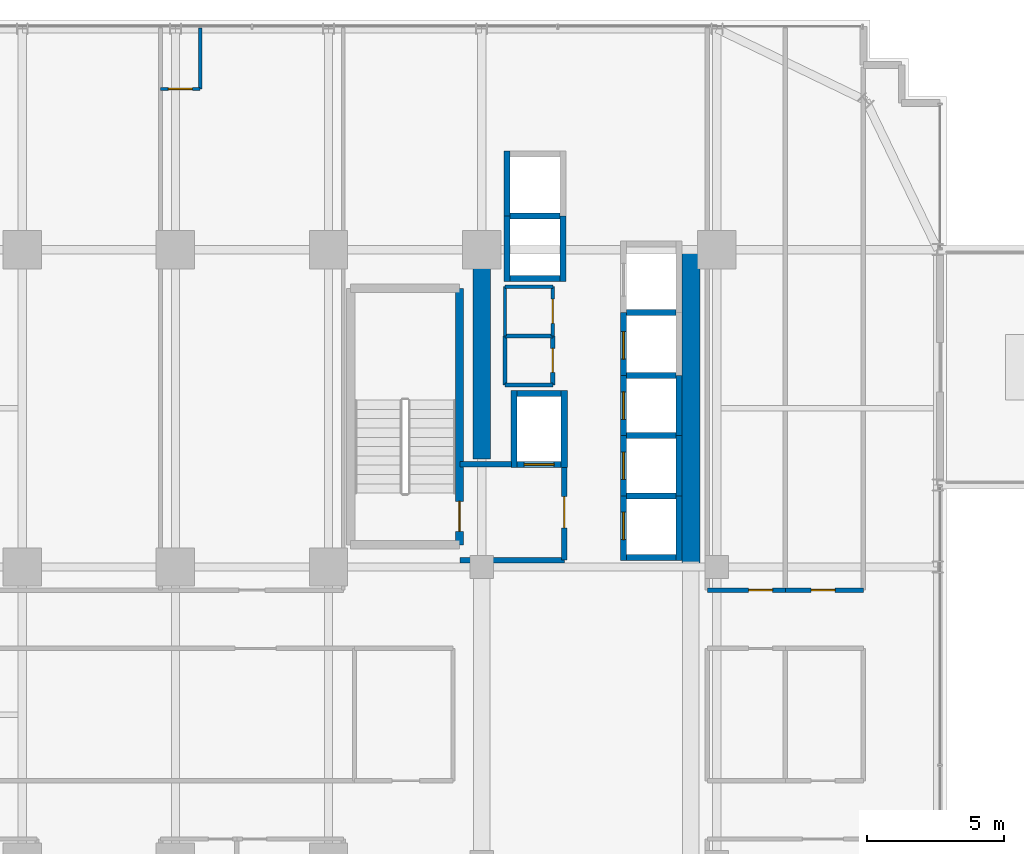
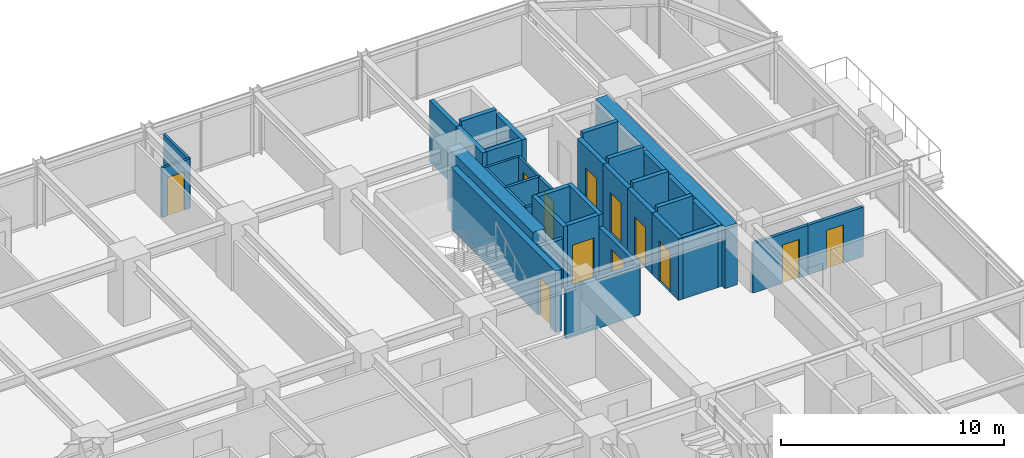
# One storey, part 32 of 36: 38 walls, 12 doors, 12 openings.
"""IFC4 building model written with IfcOpenShell, lengths in metres."""

from ifc_helpers import new_model, si_unit, direction, frame, frame_2d, origin, place, context, subcontext, project, spatial, rectangle, extrude, source, transform, mapped, material, layer, layer_set, type_object, element, fill, save


model = new_model("IFC4")

# Units and contexts
model_context = context("Model", 3, precision=1e-05, world=origin(), true_north=direction((0.0, 1.0)))
body_context = subcontext(model_context, "Body", "Model", "MODEL_VIEW")
ifc_project = project(units=[si_unit("LENGTHUNIT", "METRE"), si_unit("AREAUNIT", "SQUARE_METRE"), si_unit("VOLUMEUNIT", "CUBIC_METRE"), si_unit("PLANEANGLEUNIT", "RADIAN"), si_unit("MASSUNIT", "GRAM", prefix="KILO")], contexts=[model_context])

# Site, building, storey
site_placement = place(None, origin())
site = spatial("IfcSite", under=ifc_project, at=site_placement, CompositionType="ELEMENT")
building_placement = place(site_placement, origin())
building = spatial("IfcBuilding", under=site, at=building_placement, Name="Nahalor Promenade Grand Hotel", CompositionType="ELEMENT")
storey_placement = place(building_placement, frame((0.0, 0.0, 72.550048828125)))
storey = spatial("IfcBuildingStorey", under=building, at=storey_placement, Name="L17", CompositionType="ELEMENT", Elevation=72.550048828125)

# Walls
ifc_material_1 = material(Name="Concrete B-60 (C50/60)", Category="concrete")
ifc_layer_1 = layer(ifc_material_1, 0.64990234375)
ifc_layer_set_1 = layer_set([ifc_layer_1], Name="Concrete B-60 (C50/60)")
wall_type_1 = type_object("IfcWallType", Name="Wall-CoreShear-650", PredefinedType="SHEAR", material=ifc_layer_set_1)
shared_shape_1 = source(origin(), body_context, "Body", "SweptSolid", [
    extrude(rectangle(XDim=7.64990234375, YDim=0.64990234375, at=frame_2d((3.824951171875, 0.0))), origin(), (0.0, 0.0, 1.0), 3.369873046875),
])
wall_1_placement = place(storey_placement, frame((8.39990234375, 9.35009765625, 0.0), z_axis=(0.0, 0.0, 1.0), x_axis=(0.0, 1.0, 0.0)))
element("IfcWall", 1, at=wall_1_placement, inside=storey, type_object=wall_type_1, Name="CWALL-L17-NW", PredefinedType="SHEAR", context=body_context, shape_type="MappedRepresentation", body=[
    mapped(shared_shape_1, transform((0.0, 0.0, 0.0), scale=1.0)),
])
shared_shape_2 = source(origin(), body_context, "Body", "SweptSolid", [
    extrude(rectangle(XDim=11.60009765625, YDim=0.64990234375, at=frame_2d((5.800048828125, 0.0))), origin(), (0.0, 0.0, 1.0), 3.369873046875),
])
wall_2_placement = place(storey_placement, frame((16.050048828125, 5.39990234375, 0.0), z_axis=(0.0, 0.0, 1.0), x_axis=(0.0, 1.0, 0.0)))
element("IfcWall", 2, at=wall_2_placement, inside=storey, type_object=wall_type_1, Name="CWALL-L17-NE", PredefinedType="SHEAR", context=body_context, shape_type="MappedRepresentation", body=[
    mapped(shared_shape_2, transform((0.0, 0.0, 0.0), scale=1.0)),
])

# Wall, opening, door
ifc_material_2 = material(Name="Concrete B-50 (C40/50)", Category="concrete")
ifc_layer_2 = layer(ifc_material_2, 0.300048828125)
ifc_layer_set_2 = layer_set([ifc_layer_2], Name="Concrete B-50 (C40/50)")
wall_type_2 = type_object("IfcWallType", Name="Wall-ShaftShear-300", PredefinedType="SHEAR", material=ifc_layer_set_2)
shared_shape_3 = source(origin(), body_context, "Body", "SweptSolid", [
    extrude(rectangle(XDim=9.380126953125, YDim=0.300048828125, at=frame_2d((4.68994140625, 0.0))), origin(), (0.0, 0.0, 1.0), 3.369873046875),
])
wall_3_placement = place(storey_placement, frame((7.590087890625, 6.2099609375, 0.0), z_axis=(0.0, 0.0, 1.0), x_axis=(0.0, 1.0, 0.0)))
wall_3 = element("IfcWall", 3, at=wall_3_placement, inside=storey, type_object=wall_type_2, Name="L17 Exit Stair ST1 Shaft Wall E", PredefinedType="SHEAR", context=body_context, shape_type="MappedRepresentation", body=[
    mapped(shared_shape_3, transform((0.0, 0.0, 0.0), scale=1.0)),
])
opening_1_placement = place(wall_3_placement, frame((0.489990234375, 0.0, 0.0)))
opening_1 = element("IfcOpeningElement", 4, at=opening_1_placement, cuts=wall_3, Name="Opening D-ST1", PredefinedType="OPENING", context=body_context, shape_type="SweptSolid", body=[
    extrude(rectangle(XDim=1.10009765625, YDim=2.14990234375, at=frame_2d((0.550048828125, 1.074951171875))), frame((0.0, 0.159912109375, 0.0), z_axis=(0.0, -1.0, 0.0), x_axis=(1.0, 0.0, 0.0)), (0.0, 0.0, 1.0), 0.320068359375),
])
ifc_material_3 = material(Name="Steel S355JR", Category="steel")
door_type_1 = type_object("IfcDoorType", Name="Door-StairFire-1100", OperationType="NOTDEFINED", PredefinedType="DOOR", material=ifc_material_3)
shared_shape_4 = source(origin(), body_context, "Body", "SweptSolid", [
    extrude(rectangle(XDim=1.10009765625, YDim=2.14990234375, at=frame_2d((0.550048828125, 1.074951171875))), frame((0.0, 0.02490234375, 0.0), z_axis=(0.0, -1.0, 0.0), x_axis=(1.0, 0.0, 0.0)), (0.0, 0.0, 1.0), 0.050048828125),
])
door_1_placement = place(opening_1_placement, origin())
door_1 = element("IfcDoor", 5, at=door_1_placement, inside=storey, type_object=door_type_1, Name="DR-STAIR-ST1-L17", OperationType="SINGLE_SWING_RIGHT", OverallHeight=2.14990234375, OverallWidth=1.10009765625, PredefinedType="DOOR", context=body_context, shape_type="MappedRepresentation", body=[
    mapped(shared_shape_4, transform((0.0, 0.0, 0.0), scale=1.0)),
])
fill(opening_1, door_1)

ifc_layer_3 = layer(ifc_material_2, 0.219970703125)
ifc_layer_set_3 = layer_set([ifc_layer_3], Name="Concrete B-50 (C40/50)")
wall_type_3 = type_object("IfcWallType", Name="Wall-LiftShaft-220", PredefinedType="SHEAR", material=ifc_layer_set_3)
shared_shape_5 = source(origin(), body_context, "Body", "SweptSolid", [
    extrude(rectangle(XDim=2.360107421875, YDim=0.219970703125, at=frame_2d((1.18017578125, 0.0))), origin(), (0.0, 0.0, 1.0), 3.369873046875),
])
wall_4_placement = place(storey_placement, frame((13.580078125, 5.639892578125, 0.0), z_axis=(0.0, 0.0, 1.0), x_axis=(0.0, 1.0, 0.0)))
wall_4 = element("IfcWall", 6, at=wall_4_placement, inside=storey, type_object=wall_type_3, Name="L17 Lift PL1 Hoistway Wall W", PredefinedType="SHEAR", context=body_context, shape_type="MappedRepresentation", body=[
    mapped(shared_shape_5, transform((0.0, 0.0, 0.0), scale=1.0)),
])
opening_2_placement = place(wall_4_placement, frame((0.760009765625, 0.0, 0.0)))
opening_2 = element("IfcOpeningElement", 7, at=opening_2_placement, cuts=wall_4, Name="Opening LD-01", PredefinedType="OPENING", context=body_context, shape_type="SweptSolid", body=[
    extrude(rectangle(XDim=1.0, YDim=2.199951171875, at=frame_2d((0.5, 1.10009765625))), frame((0.0, 0.119873046875, 0.0), z_axis=(0.0, -1.0, 0.0), x_axis=(1.0, 0.0, 0.0)), (0.0, 0.0, 1.0), 0.239990234375),
])
door_type_2 = type_object("IfcDoorType", Name="Door-LiftLanding-1000", OperationType="DOUBLE_DOOR_SLIDING", PredefinedType="DOOR", material=ifc_material_3)
shared_shape_6 = source(origin(), body_context, "Body", "SweptSolid", [
    extrude(rectangle(XDim=1.0, YDim=2.199951171875, at=frame_2d((0.5, 1.10009765625))), frame((0.0, 0.02490234375, 0.0), z_axis=(0.0, -1.0, 0.0), x_axis=(1.0, 0.0, 0.0)), (0.0, 0.0, 1.0), 0.050048828125),
])
door_2_placement = place(opening_2_placement, origin())
door_2 = element("IfcDoor", 8, at=door_2_placement, inside=storey, type_object=door_type_2, Name="DR-LIFT-PL1-L17", OperationType="DOUBLE_DOOR_SLIDING", OverallHeight=2.199951171875, OverallWidth=1.0, PredefinedType="DOOR", context=body_context, shape_type="MappedRepresentation", body=[
    mapped(shared_shape_6, transform((0.0, 0.0, 0.0), scale=1.0)),
])
fill(opening_2, door_2)

# Walls
wall_5_placement = place(storey_placement, frame((15.6201171875, 5.639892578125, 0.0), z_axis=(0.0, 0.0, 1.0), x_axis=(0.0, 1.0, 0.0)))
element("IfcWall", 9, at=wall_5_placement, inside=storey, type_object=wall_type_3, Name="L17 Lift PL1 Hoistway Wall E", PredefinedType="SHEAR", context=body_context, shape_type="MappedRepresentation", body=[
    mapped(shared_shape_5, transform((0.0, 0.0, 0.0), scale=1.0)),
])
shared_shape_7 = source(origin(), body_context, "Body", "SweptSolid", [
    extrude(rectangle(XDim=1.820068359375, YDim=0.219970703125, at=frame_2d((0.91015625, 0.0))), origin(), (0.0, 0.0, 1.0), 3.369873046875),
])
for number, where, z_axis, x_axis, name in (
    (10, (13.68994140625, 5.75, 0.0), (0.0, 0.0, 1.0), (1.0, 0.0, 0.0), "L17 Lift PL1 Hoistway Wall S"),
    (11, (9.43994140625, 15.949951171875, 0.0), (0.0, 0.0, 1.0), (1.0, 0.0, 0.0), "L17 Lift OB1 Hoistway Wall S"),
):
    element("IfcWall", number, at=place(storey_placement, frame(where, z_axis=z_axis, x_axis=x_axis)), inside=storey, type_object=wall_type_3, Name=name, PredefinedType="SHEAR", context=body_context, shape_type="MappedRepresentation", body=[
        mapped(shared_shape_7, transform((0.0, 0.0, 0.0), scale=1.0)),
    ])
shared_shape_8 = source(origin(), body_context, "Body", "SweptSolid", [
    extrude(rectangle(XDim=1.820068359375, YDim=0.219970703125, at=frame_2d((0.91015625, 0.0))), origin(), (0.0, 0.0, 1.0), 3.64990234375),
])
for number, where, z_axis, x_axis, name in (
    (12, (13.68994140625, 8.0, 0.0), (0.0, 0.0, 1.0), (1.0, 0.0, 0.0), "L17 Lift PL1 Hoistway Wall N"),
    (13, (13.68994140625, 10.199951171875, 0.0), (0.0, 0.0, 1.0), (1.0, 0.0, 0.0), "L17 Lift PL2 Hoistway Wall N"),
    (14, (13.68994140625, 12.39990234375, 0.0), (0.0, 0.0, 1.0), (1.0, 0.0, 0.0), "L17 Lift PL3 Hoistway Wall N"),
    (15, (13.68994140625, 14.699951171875, 0.0), (0.0, 0.0, 1.0), (1.0, 0.0, 0.0), "L17 Lift PL4 Hoistway Wall N"),
    (16, (9.43994140625, 18.22509765625, 0.0), (0.0, 0.0, 1.0), (1.0, 0.0, 0.0), "L17 Lift OB1 Hoistway Wall N"),
):
    element("IfcWall", number, at=place(storey_placement, frame(where, z_axis=z_axis, x_axis=x_axis)), inside=storey, type_object=wall_type_3, Name=name, PredefinedType="SHEAR", context=body_context, shape_type="MappedRepresentation", body=[
        mapped(shared_shape_8, transform((0.0, 0.0, 0.0), scale=1.0)),
    ])

# Wall, opening, door
shared_shape_9 = source(origin(), body_context, "Body", "SweptSolid", [
    extrude(rectangle(XDim=2.199951171875, YDim=0.219970703125, at=frame_2d((1.10009765625, 0.0))), origin(), (0.0, 0.0, 1.0), 3.369873046875),
])
wall_6_placement = place(storey_placement, frame((13.580078125, 8.0, 0.0), z_axis=(0.0, 0.0, 1.0), x_axis=(0.0, 1.0, 0.0)))
wall_6 = element("IfcWall", 17, at=wall_6_placement, inside=storey, type_object=wall_type_3, Name="L17 Lift PL2 Hoistway Wall W", PredefinedType="SHEAR", context=body_context, shape_type="MappedRepresentation", body=[
    mapped(shared_shape_9, transform((0.0, 0.0, 0.0), scale=1.0)),
])
opening_3_placement = place(wall_6_placement, frame((0.60009765625, 0.0, 0.0)))
opening_3 = element("IfcOpeningElement", 18, at=opening_3_placement, cuts=wall_6, Name="Opening LD-01", PredefinedType="OPENING", context=body_context, shape_type="SweptSolid", body=[
    extrude(rectangle(XDim=1.0, YDim=2.199951171875, at=frame_2d((0.5, 1.10009765625))), frame((0.0, 0.119873046875, 0.0), z_axis=(0.0, -1.0, 0.0), x_axis=(1.0, 0.0, 0.0)), (0.0, 0.0, 1.0), 0.239990234375),
])
door_3_placement = place(opening_3_placement, origin())
door_3 = element("IfcDoor", 19, at=door_3_placement, inside=storey, type_object=door_type_2, Name="DR-LIFT-PL2-L17", OperationType="DOUBLE_DOOR_SLIDING", OverallHeight=2.199951171875, OverallWidth=1.0, PredefinedType="DOOR", context=body_context, shape_type="MappedRepresentation", body=[
    mapped(shared_shape_6, transform((0.0, 0.0, 0.0), scale=1.0)),
])
fill(opening_3, door_3)

# Wall
wall_7_placement = place(storey_placement, frame((15.6201171875, 8.0, 0.0), z_axis=(0.0, 0.0, 1.0), x_axis=(0.0, 1.0, 0.0)))
element("IfcWall", 20, at=wall_7_placement, inside=storey, type_object=wall_type_3, Name="L17 Lift PL2 Hoistway Wall E", PredefinedType="SHEAR", context=body_context, shape_type="MappedRepresentation", body=[
    mapped(shared_shape_9, transform((0.0, 0.0, 0.0), scale=1.0)),
])

# Wall, opening, door
wall_8_placement = place(storey_placement, frame((13.580078125, 10.199951171875, 0.0), z_axis=(0.0, 0.0, 1.0), x_axis=(0.0, 1.0, 0.0)))
wall_8 = element("IfcWall", 21, at=wall_8_placement, inside=storey, type_object=wall_type_3, Name="L17 Lift PL3 Hoistway Wall W", PredefinedType="SHEAR", context=body_context, shape_type="MappedRepresentation", body=[
    mapped(shared_shape_9, transform((0.0, 0.0, 0.0), scale=1.0)),
])
opening_4_placement = place(wall_8_placement, frame((0.60009765625, 0.0, 0.0)))
opening_4 = element("IfcOpeningElement", 22, at=opening_4_placement, cuts=wall_8, Name="Opening LD-01", PredefinedType="OPENING", context=body_context, shape_type="SweptSolid", body=[
    extrude(rectangle(XDim=1.0, YDim=2.199951171875, at=frame_2d((0.5, 1.10009765625))), frame((0.0, 0.119873046875, 0.0), z_axis=(0.0, -1.0, 0.0), x_axis=(1.0, 0.0, 0.0)), (0.0, 0.0, 1.0), 0.239990234375),
])
door_4_placement = place(opening_4_placement, origin())
door_4 = element("IfcDoor", 23, at=door_4_placement, inside=storey, type_object=door_type_2, Name="DR-LIFT-PL3-L17", OperationType="DOUBLE_DOOR_SLIDING", OverallHeight=2.199951171875, OverallWidth=1.0, PredefinedType="DOOR", context=body_context, shape_type="MappedRepresentation", body=[
    mapped(shared_shape_6, transform((0.0, 0.0, 0.0), scale=1.0)),
])
fill(opening_4, door_4)

# Wall
wall_9_placement = place(storey_placement, frame((15.6201171875, 10.199951171875, 0.0), z_axis=(0.0, 0.0, 1.0), x_axis=(0.0, 1.0, 0.0)))
element("IfcWall", 24, at=wall_9_placement, inside=storey, type_object=wall_type_3, Name="L17 Lift PL3 Hoistway Wall E", PredefinedType="SHEAR", context=body_context, shape_type="MappedRepresentation", body=[
    mapped(shared_shape_9, transform((0.0, 0.0, 0.0), scale=1.0)),
])

# Wall, opening, door
shared_shape_10 = source(origin(), body_context, "Body", "SweptSolid", [
    extrude(rectangle(XDim=2.300048828125, YDim=0.219970703125, at=frame_2d((1.14990234375, 0.0))), origin(), (0.0, 0.0, 1.0), 3.369873046875),
])
wall_10_placement = place(storey_placement, frame((13.580078125, 12.39990234375, 0.0), z_axis=(0.0, 0.0, 1.0), x_axis=(0.0, 1.0, 0.0)))
wall_10 = element("IfcWall", 25, at=wall_10_placement, inside=storey, type_object=wall_type_3, Name="L17 Lift PL4 Hoistway Wall W", PredefinedType="SHEAR", context=body_context, shape_type="MappedRepresentation", body=[
    mapped(shared_shape_10, transform((0.0, 0.0, 0.0), scale=1.0)),
])
opening_5_placement = place(wall_10_placement, frame((0.60009765625, 0.0, 0.0)))
opening_5 = element("IfcOpeningElement", 26, at=opening_5_placement, cuts=wall_10, Name="Opening LD-01", PredefinedType="OPENING", context=body_context, shape_type="SweptSolid", body=[
    extrude(rectangle(XDim=1.0, YDim=2.199951171875, at=frame_2d((0.5, 1.10009765625))), frame((0.0, 0.119873046875, 0.0), z_axis=(0.0, -1.0, 0.0), x_axis=(1.0, 0.0, 0.0)), (0.0, 0.0, 1.0), 0.239990234375),
])
door_5_placement = place(opening_5_placement, origin())
door_5 = element("IfcDoor", 27, at=door_5_placement, inside=storey, type_object=door_type_2, Name="DR-LIFT-PL4-L17", OperationType="DOUBLE_DOOR_SLIDING", OverallHeight=2.199951171875, OverallWidth=1.0, PredefinedType="DOOR", context=body_context, shape_type="MappedRepresentation", body=[
    mapped(shared_shape_6, transform((0.0, 0.0, 0.0), scale=1.0)),
])
fill(opening_5, door_5)

# Walls
shared_shape_11 = source(origin(), body_context, "Body", "SweptSolid", [
    extrude(rectangle(XDim=2.385009765625, YDim=0.219970703125, at=frame_2d((1.1923828125, 0.0))), origin(), (0.0, 0.0, 1.0), 3.369873046875),
])
for number, where, z_axis, x_axis, name in (
    (28, (9.330078125, 15.840087890625, 0.0), (0.0, 0.0, 1.0), (0.0, 1.0, 0.0), "L17 Lift OB1 Hoistway Wall W"),
    (29, (11.3701171875, 15.840087890625, 0.0), (0.0, 0.0, 1.0), (0.0, 1.0, 0.0), "L17 Lift OB1 Hoistway Wall E"),
    (30, (9.330078125, 18.22509765625, 0.0), (0.0, 0.0, 1.0), (0.0, 1.0, 0.0), "L17 Lift OB2 Hoistway Wall W"),
):
    element("IfcWall", number, at=place(storey_placement, frame(where, z_axis=z_axis, x_axis=x_axis)), inside=storey, type_object=wall_type_3, Name=name, PredefinedType="SHEAR", context=body_context, shape_type="MappedRepresentation", body=[
        mapped(shared_shape_11, transform((0.0, 0.0, 0.0), scale=1.0)),
    ])
shared_shape_12 = source(origin(), body_context, "Body", "SweptSolid", [
    extrude(rectangle(XDim=2.820068359375, YDim=0.219970703125, at=frame_2d((1.41015625, 0.0))), origin(), (0.0, 0.0, 1.0), 3.369873046875),
])
for number, where, z_axis, x_axis, name in (
    (31, (9.580078125, 9.0400390625, 0.0), (0.0, 0.0, 1.0), (0.0, 1.0, 0.0), "L17 Lift FL1 Hoistway Wall W"),
    (32, (11.419921875, 9.0400390625, 0.0), (0.0, 0.0, 1.0), (0.0, 1.0, 0.0), "L17 Lift FL1 Hoistway Wall E"),
):
    element("IfcWall", number, at=place(storey_placement, frame(where, z_axis=z_axis, x_axis=x_axis)), inside=storey, type_object=wall_type_3, Name=name, PredefinedType="SHEAR", context=body_context, shape_type="MappedRepresentation", body=[
        mapped(shared_shape_12, transform((0.0, 0.0, 0.0), scale=1.0)),
    ])

# Wall, opening, door
shared_shape_13 = source(origin(), body_context, "Body", "SweptSolid", [
    extrude(rectangle(XDim=1.6201171875, YDim=0.219970703125, at=frame_2d((0.81005859375, 0.0))), origin(), (0.0, 0.0, 1.0), 3.369873046875),
])
wall_11_placement = place(storey_placement, frame((9.68994140625, 9.14990234375, 0.0), z_axis=(0.0, 0.0, 1.0), x_axis=(1.0, 0.0, 0.0)))
wall_11 = element("IfcWall", 33, at=wall_11_placement, inside=storey, type_object=wall_type_3, Name="L17 Lift FL1 Hoistway Wall S", PredefinedType="SHEAR", context=body_context, shape_type="MappedRepresentation", body=[
    mapped(shared_shape_13, transform((0.0, 0.0, 0.0), scale=1.0)),
])
opening_6_placement = place(wall_11_placement, frame((0.260009765625, 0.0, 0.0)))
opening_6 = element("IfcOpeningElement", 34, at=opening_6_placement, cuts=wall_11, Name="Opening LD-02", PredefinedType="OPENING", context=body_context, shape_type="SweptSolid", body=[
    extrude(rectangle(XDim=1.10009765625, YDim=2.199951171875, at=frame_2d((0.550048828125, 1.10009765625))), frame((0.0, 0.119873046875, 0.0), z_axis=(0.0, -1.0, 0.0), x_axis=(1.0, 0.0, 0.0)), (0.0, 0.0, 1.0), 0.239990234375),
])
door_type_3 = type_object("IfcDoorType", Name="Door-LiftFF-1100", OperationType="DOUBLE_DOOR_SLIDING", PredefinedType="DOOR", material=ifc_material_3)
shared_shape_14 = source(origin(), body_context, "Body", "SweptSolid", [
    extrude(rectangle(XDim=1.10009765625, YDim=2.199951171875, at=frame_2d((0.550048828125, 1.10009765625))), frame((0.0, 0.02490234375, 0.0), z_axis=(0.0, -1.0, 0.0), x_axis=(1.0, 0.0, 0.0)), (0.0, 0.0, 1.0), 0.050048828125),
])
door_6_placement = place(opening_6_placement, frame((1.10009765625, 0.0, 0.0), z_axis=(0.0, 0.0, 1.0), x_axis=(-1.0, 0.0, 0.0)))
door_6 = element("IfcDoor", 35, at=door_6_placement, inside=storey, type_object=door_type_3, Name="DR-LIFT-FL1-L17", OperationType="DOUBLE_DOOR_SLIDING", OverallHeight=2.199951171875, OverallWidth=1.10009765625, PredefinedType="DOOR", context=body_context, shape_type="MappedRepresentation", body=[
    mapped(shared_shape_14, transform((0.0, 0.0, 0.0), scale=1.0)),
])
fill(opening_6, door_6)

# Walls
wall_12_placement = place(storey_placement, frame((9.68994140625, 11.75, 0.0), z_axis=(0.0, 0.0, 1.0), x_axis=(1.0, 0.0, 0.0)))
element("IfcWall", 36, at=wall_12_placement, inside=storey, type_object=wall_type_3, Name="L17 Lift FL1 Hoistway Wall N", PredefinedType="SHEAR", context=body_context, shape_type="MappedRepresentation", body=[
    mapped(shared_shape_13, transform((0.0, 0.0, 0.0), scale=1.0)),
])
ifc_material_4 = material(Name="Concrete B-40 (C32/40)", Category="concrete")
ifc_layer_4 = layer(ifc_material_4, 0.199951171875)
ifc_layer_set_4 = layer_set([ifc_layer_4], Name="Concrete B-40 (C32/40)")
wall_type_4 = type_object("IfcWallType", Name="Wall-PartFire-200", PredefinedType="PARTITIONING", material=ifc_layer_set_4)
shared_shape_15 = source(origin(), body_context, "Body", "SweptSolid", [
    extrude(rectangle(XDim=3.81982421875, YDim=0.199951171875, at=frame_2d((1.909912109375, 0.0))), origin(), (0.0, 0.0, 1.0), 2.7099609375),
])
wall_13_placement = place(storey_placement, frame((7.60009765625, 5.64990234375, 0.0), z_axis=(0.0, 0.0, 1.0), x_axis=(1.0, 0.0, 0.0)))
element("IfcWall", 37, at=wall_13_placement, inside=storey, type_object=wall_type_4, Name="W-L17-FF1-S", PredefinedType="PARTITIONING", context=body_context, shape_type="MappedRepresentation", body=[
    mapped(shared_shape_15, transform((0.0, 0.0, 0.0), scale=1.0)),
])
shared_shape_16 = source(origin(), body_context, "Body", "SweptSolid", [
    extrude(rectangle(XDim=1.89990234375, YDim=0.199951171875, at=frame_2d((0.949951171875, 0.0))), origin(), (0.0, 0.0, 1.0), 2.7099609375),
])
wall_14_placement = place(storey_placement, frame((7.60009765625, 9.14990234375, 0.0), z_axis=(0.0, 0.0, 1.0), x_axis=(1.0, 0.0, 0.0)))
element("IfcWall", 38, at=wall_14_placement, inside=storey, type_object=wall_type_4, Name="W-L17-FF1-N", PredefinedType="PARTITIONING", context=body_context, shape_type="MappedRepresentation", body=[
    mapped(shared_shape_16, transform((0.0, 0.0, 0.0), scale=1.0)),
])

# Wall, opening, door
shared_shape_17 = source(origin(), body_context, "Body", "SweptSolid", [
    extrude(rectangle(XDim=3.5, YDim=0.199951171875, at=frame_2d((1.75, 0.0))), origin(), (0.0, 0.0, 1.0), 2.7099609375),
])
wall_15_placement = place(storey_placement, frame((11.419921875, 5.64990234375, 0.0), z_axis=(0.0, 0.0, 1.0), x_axis=(0.0, 1.0, 0.0)))
wall_15 = element("IfcWall", 39, at=wall_15_placement, inside=storey, type_object=wall_type_4, Name="W-L17-FF1-E", PredefinedType="PARTITIONING", context=body_context, shape_type="MappedRepresentation", body=[
    mapped(shared_shape_17, transform((0.0, 0.0, 0.0), scale=1.0)),
])
opening_7_placement = place(wall_15_placement, frame((1.175048828125, 0.0, 0.0)))
opening_7 = element("IfcOpeningElement", 40, at=opening_7_placement, cuts=wall_15, Name="Opening D-FF1", PredefinedType="OPENING", context=body_context, shape_type="SweptSolid", body=[
    extrude(rectangle(XDim=1.14990234375, YDim=2.14990234375, at=frame_2d((0.574951171875, 1.074951171875))), frame((0.0, 0.10986328125, 0.0), z_axis=(0.0, -1.0, 0.0), x_axis=(1.0, 0.0, 0.0)), (0.0, 0.0, 1.0), 0.219970703125),
])
door_type_4 = type_object("IfcDoorType", Name="Door-FFLobby-1150", OperationType="NOTDEFINED", PredefinedType="DOOR", material=ifc_material_3)
shared_shape_18 = source(origin(), body_context, "Body", "SweptSolid", [
    extrude(rectangle(XDim=1.14990234375, YDim=2.14990234375, at=frame_2d((0.574951171875, 1.074951171875))), frame((0.0, 0.02490234375, 0.0), z_axis=(0.0, -1.0, 0.0), x_axis=(1.0, 0.0, 0.0)), (0.0, 0.0, 1.0), 0.050048828125),
])
door_7_placement = place(opening_7_placement, frame((1.14990234375, 0.0, 0.0), z_axis=(0.0, 0.0, 1.0), x_axis=(-1.0, 0.0, 0.0)))
door_7 = element("IfcDoor", 41, at=door_7_placement, inside=storey, type_object=door_type_4, Name="DR-L17-FFL1", OperationType="SINGLE_SWING_RIGHT", OverallHeight=2.14990234375, OverallWidth=1.14990234375, PredefinedType="DOOR", context=body_context, shape_type="MappedRepresentation", body=[
    mapped(shared_shape_18, transform((0.0, 0.0, 0.0), scale=1.0)),
])
fill(opening_7, door_7)

# Walls
ifc_material_5 = material(Name="Acoustic Mineral Gypsum", Category="gypsum")
ifc_layer_5 = layer(ifc_material_5, 0.14990234375)
ifc_layer_set_5 = layer_set([ifc_layer_5], Name="Acoustic Mineral Gypsum")
wall_type_5 = type_object("IfcWallType", Name="Wall-PartService-150", PredefinedType="PARTITIONING", material=ifc_layer_set_5)
shared_shape_19 = source(origin(), body_context, "Body", "SweptSolid", [
    extrude(rectangle(XDim=1.75, YDim=0.14990234375, at=frame_2d((0.875, 0.0))), origin(), (0.0, 0.0, 1.0), 2.7099609375),
])
for number, where, z_axis, x_axis, name in (
    (42, (9.25, 12.050048828125, 0.0), (0.0, 0.0, 1.0), (1.0, 0.0, 0.0), "W-L17-CK2A-S"),
    (43, (9.25, 13.85009765625, 0.0), (0.0, 0.0, 1.0), (1.0, 0.0, 0.0), "W-L17-CK2A-N"),
):
    element("IfcWall", number, at=place(storey_placement, frame(where, z_axis=z_axis, x_axis=x_axis)), inside=storey, type_object=wall_type_5, Name=name, PredefinedType="PARTITIONING", context=body_context, shape_type="MappedRepresentation", body=[
        mapped(shared_shape_19, transform((0.0, 0.0, 0.0), scale=1.0)),
    ])
ifc_layer_6 = layer(ifc_material_5, 0.1201171875)
ifc_layer_set_6 = layer_set([ifc_layer_6], Name="Acoustic Mineral Gypsum")
wall_type_6 = type_object("IfcWallType", Name="Wall-PartBath-120", PredefinedType="PARTITIONING", material=ifc_layer_set_6)
shared_shape_20 = source(origin(), body_context, "Body", "SweptSolid", [
    extrude(rectangle(XDim=2.22021484375, YDim=0.1201171875, at=frame_2d((1.110107421875, 0.0))), origin(), (0.0, 0.0, 1.0), 2.7099609375),
])
wall_16_placement = place(storey_placement, frame((-1.89208984375, 22.8798828125, 0.0), z_axis=(0.0, 0.0, 1.0), x_axis=(0.0, 1.0, 0.0)))
element("IfcWall", 44, at=wall_16_placement, inside=storey, type_object=wall_type_6, Name="W-L17-N3-BV", PredefinedType="PARTITIONING", context=body_context, shape_type="MappedRepresentation", body=[
    mapped(shared_shape_20, transform((0.0, 0.0, 0.0), scale=1.0)),
])

# Wall, opening, door
shared_shape_21 = source(origin(), body_context, "Body", "SweptSolid", [
    extrude(rectangle(XDim=1.449951171875, YDim=0.1201171875, at=frame_2d((0.72509765625, 0.0))), origin(), (0.0, 0.0, 1.0), 2.7099609375),
])
wall_17_placement = place(storey_placement, frame((-3.342041015625, 22.8798828125, 0.0), z_axis=(0.0, 0.0, 1.0), x_axis=(1.0, 0.0, 0.0)))
wall_17 = element("IfcWall", 45, at=wall_17_placement, inside=storey, type_object=wall_type_6, Name="W-L17-N3-BH", PredefinedType="PARTITIONING", context=body_context, shape_type="MappedRepresentation", body=[
    mapped(shared_shape_21, transform((0.0, 0.0, 0.0), scale=1.0)),
])
opening_8_placement = place(wall_17_placement, frame((0.284912109375, 0.0, 0.0)))
opening_8 = element("IfcOpeningElement", 46, at=opening_8_placement, cuts=wall_17, Name="Opening D-03", PredefinedType="OPENING", context=body_context, shape_type="SweptSolid", body=[
    extrude(rectangle(XDim=0.8798828125, YDim=2.10009765625, at=frame_2d((0.43994140625, 1.050048828125))), frame((0.0, 0.070068359375, 0.0), z_axis=(0.0, -1.0, 0.0), x_axis=(1.0, 0.0, 0.0)), (0.0, 0.0, 1.0), 0.14013671875),
])
ifc_material_6 = material(Name="Fire-Rated Timber Composite", Category="wood")
door_type_5 = type_object("IfcDoorType", Name="Door-BathSwing-880", OperationType="NOTDEFINED", PredefinedType="DOOR", material=ifc_material_6)
shared_shape_22 = source(origin(), body_context, "Body", "SweptSolid", [
    extrude(rectangle(XDim=0.8798828125, YDim=2.10009765625, at=frame_2d((0.43994140625, 1.050048828125))), frame((0.0, 0.02490234375, 0.0), z_axis=(0.0, -1.0, 0.0), x_axis=(1.0, 0.0, 0.0)), (0.0, 0.0, 1.0), 0.050048828125),
])
door_8_placement = place(opening_8_placement, origin())
door_8 = element("IfcDoor", 47, at=door_8_placement, inside=storey, type_object=door_type_5, Name="DR-L17-N3-BATH", OperationType="SINGLE_SWING_RIGHT", OverallHeight=2.10009765625, OverallWidth=0.8798828125, PredefinedType="DOOR", context=body_context, shape_type="MappedRepresentation", body=[
    mapped(shared_shape_22, transform((0.0, 0.0, 0.0), scale=1.0)),
])
fill(opening_8, door_8)

# Wall
shared_shape_23 = source(origin(), body_context, "Body", "SweptSolid", [
    extrude(rectangle(XDim=1.800048828125, YDim=0.14990234375, at=frame_2d((0.89990234375, 0.0))), origin(), (0.0, 0.0, 1.0), 2.7099609375),
])
wall_18_placement = place(storey_placement, frame((9.25, 12.050048828125, 0.0), z_axis=(0.0, 0.0, 1.0), x_axis=(0.0, 1.0, 0.0)))
element("IfcWall", 48, at=wall_18_placement, inside=storey, type_object=wall_type_5, Name="W-L17-CK2A-W", PredefinedType="PARTITIONING", context=body_context, shape_type="MappedRepresentation", body=[
    mapped(shared_shape_23, transform((0.0, 0.0, 0.0), scale=1.0)),
])

# Wall, opening, door
wall_19_placement = place(storey_placement, frame((11.0, 12.050048828125, 0.0), z_axis=(0.0, 0.0, 1.0), x_axis=(0.0, 1.0, 0.0)))
wall_19 = element("IfcWall", 49, at=wall_19_placement, inside=storey, type_object=wall_type_5, Name="W-L17-CK2A-E", PredefinedType="PARTITIONING", context=body_context, shape_type="MappedRepresentation", body=[
    mapped(shared_shape_23, transform((0.0, 0.0, 0.0), scale=1.0)),
])
opening_9_placement = place(wall_19_placement, frame((0.4599609375, 0.0, 0.0)))
opening_9 = element("IfcOpeningElement", 50, at=opening_9_placement, cuts=wall_19, Name="Opening D-03", PredefinedType="OPENING", context=body_context, shape_type="SweptSolid", body=[
    extrude(rectangle(XDim=0.8798828125, YDim=2.10009765625, at=frame_2d((0.43994140625, 1.050048828125))), frame((0.0, 0.0849609375, 0.0), z_axis=(0.0, -1.0, 0.0), x_axis=(1.0, 0.0, 0.0)), (0.0, 0.0, 1.0), 0.169921875),
])
door_9_placement = place(opening_9_placement, origin())
door_9 = element("IfcDoor", 51, at=door_9_placement, inside=storey, type_object=door_type_5, Name="DR-L17-CK2A", OperationType="SINGLE_SWING_RIGHT", OverallHeight=2.10009765625, OverallWidth=0.8798828125, PredefinedType="DOOR", context=body_context, shape_type="MappedRepresentation", body=[
    mapped(shared_shape_22, transform((0.0, 0.0, 0.0), scale=1.0)),
])
fill(opening_9, door_9)

# Walls
shared_shape_24 = source(origin(), body_context, "Body", "SweptSolid", [
    extrude(rectangle(XDim=1.75, YDim=0.1201171875, at=frame_2d((0.875, 0.0))), origin(), (0.0, 0.0, 1.0), 2.7099609375),
])
wall_20_placement = place(storey_placement, frame((9.25, 15.64990234375, 0.0), z_axis=(0.0, 0.0, 1.0), x_axis=(1.0, 0.0, 0.0)))
element("IfcWall", 52, at=wall_20_placement, inside=storey, type_object=wall_type_6, Name="W-L17-CK2B-N", PredefinedType="PARTITIONING", context=body_context, shape_type="MappedRepresentation", body=[
    mapped(shared_shape_24, transform((0.0, 0.0, 0.0), scale=1.0)),
])
shared_shape_25 = source(origin(), body_context, "Body", "SweptSolid", [
    extrude(rectangle(XDim=1.7998046875, YDim=0.1201171875, at=frame_2d((0.89990234375, 0.0))), origin(), (0.0, 0.0, 1.0), 2.7099609375),
])
wall_21_placement = place(storey_placement, frame((9.25, 13.85009765625, 0.0), z_axis=(0.0, 0.0, 1.0), x_axis=(0.0, 1.0, 0.0)))
element("IfcWall", 53, at=wall_21_placement, inside=storey, type_object=wall_type_6, Name="W-L17-CK2B-W", PredefinedType="PARTITIONING", context=body_context, shape_type="MappedRepresentation", body=[
    mapped(shared_shape_25, transform((0.0, 0.0, 0.0), scale=1.0)),
])

# Wall, opening, door
wall_22_placement = place(storey_placement, frame((11.0, 13.85009765625, 0.0), z_axis=(0.0, 0.0, 1.0), x_axis=(0.0, 1.0, 0.0)))
wall_22 = element("IfcWall", 54, at=wall_22_placement, inside=storey, type_object=wall_type_6, Name="W-L17-CK2B-E", PredefinedType="PARTITIONING", context=body_context, shape_type="MappedRepresentation", body=[
    mapped(shared_shape_25, transform((0.0, 0.0, 0.0), scale=1.0)),
])
opening_10_placement = place(wall_22_placement, frame((0.4599609375, 0.0, 0.0)))
opening_10 = element("IfcOpeningElement", 55, at=opening_10_placement, cuts=wall_22, Name="Opening D-03", PredefinedType="OPENING", context=body_context, shape_type="SweptSolid", body=[
    extrude(rectangle(XDim=0.8798828125, YDim=2.10009765625, at=frame_2d((0.43994140625, 1.050048828125))), frame((0.0, 0.070068359375, 0.0), z_axis=(0.0, -1.0, 0.0), x_axis=(1.0, 0.0, 0.0)), (0.0, 0.0, 1.0), 0.14013671875),
])
door_10_placement = place(opening_10_placement, origin())
door_10 = element("IfcDoor", 56, at=door_10_placement, inside=storey, type_object=door_type_5, Name="DR-L17-CK2B", OperationType="SINGLE_SWING_LEFT", OverallHeight=2.10009765625, OverallWidth=0.8798828125, PredefinedType="DOOR", context=body_context, shape_type="MappedRepresentation", body=[
    mapped(shared_shape_22, transform((0.0, 0.0, 0.0), scale=1.0)),
])
fill(opening_10, door_10)

ifc_layer_7 = layer(ifc_material_5, 0.159912109375)
ifc_layer_set_7 = layer_set([ifc_layer_7], Name="Acoustic Mineral Gypsum")
wall_type_7 = type_object("IfcWallType", Name="Wall-PartCorridor-160", PredefinedType="PARTITIONING", material=ifc_layer_set_7)
shared_shape_26 = source(origin(), body_context, "Body", "SweptSolid", [
    extrude(rectangle(XDim=2.85498046875, YDim=0.159912109375, at=frame_2d((1.427490234375, 0.0))), origin(), (0.0, 0.0, 1.0), 2.7099609375),
])
wall_23_placement = place(storey_placement, frame((16.64990234375, 4.550048828125, 0.0), z_axis=(0.0, 0.0, 1.0), x_axis=(1.0, 0.0, 0.0)))
wall_23 = element("IfcWall", 57, at=wall_23_placement, inside=storey, type_object=wall_type_7, Name="W-L17-ENE1-S", PredefinedType="PARTITIONING", context=body_context, shape_type="MappedRepresentation", body=[
    mapped(shared_shape_26, transform((0.0, 0.0, 0.0), scale=1.0)),
])
opening_11_placement = place(wall_23_placement, frame((1.510986328125, 0.0, 0.0)))
opening_11 = element("IfcOpeningElement", 58, at=opening_11_placement, cuts=wall_23, Name="Opening D-03", PredefinedType="OPENING", context=body_context, shape_type="SweptSolid", body=[
    extrude(rectangle(XDim=0.8798828125, YDim=2.10009765625, at=frame_2d((0.43994140625, 1.050048828125))), frame((0.0, 0.08984375, 0.0), z_axis=(0.0, -1.0, 0.0), x_axis=(1.0, 0.0, 0.0)), (0.0, 0.0, 1.0), 0.179931640625),
])
door_11_placement = place(opening_11_placement, origin())
door_11 = element("IfcDoor", 59, at=door_11_placement, inside=storey, type_object=door_type_5, Name="DR-L17-ENE1", OperationType="SINGLE_SWING_RIGHT", OverallHeight=2.10009765625, OverallWidth=0.8798828125, PredefinedType="DOOR", context=body_context, shape_type="MappedRepresentation", body=[
    mapped(shared_shape_22, transform((0.0, 0.0, 0.0), scale=1.0)),
])
fill(opening_11, door_11)

shared_shape_27 = source(origin(), body_context, "Body", "SweptSolid", [
    extrude(rectangle(XDim=2.855224609375, YDim=0.159912109375, at=frame_2d((1.427734375, 0.0))), origin(), (0.0, 0.0, 1.0), 2.7099609375),
])
wall_24_placement = place(storey_placement, frame((19.5048828125, 4.550048828125, 0.0), z_axis=(0.0, 0.0, 1.0), x_axis=(1.0, 0.0, 0.0)))
wall_24 = element("IfcWall", 60, at=wall_24_placement, inside=storey, type_object=wall_type_7, Name="W-L17-ENE2-S", PredefinedType="PARTITIONING", context=body_context, shape_type="MappedRepresentation", body=[
    mapped(shared_shape_27, transform((0.0, 0.0, 0.0), scale=1.0)),
])
opening_12_placement = place(wall_24_placement, frame((0.93994140625, 0.0, 0.0)))
opening_12 = element("IfcOpeningElement", 61, at=opening_12_placement, cuts=wall_24, Name="Opening D-03", PredefinedType="OPENING", context=body_context, shape_type="SweptSolid", body=[
    extrude(rectangle(XDim=0.8798828125, YDim=2.10009765625, at=frame_2d((0.43994140625, 1.050048828125))), frame((0.0, 0.08984375, 0.0), z_axis=(0.0, -1.0, 0.0), x_axis=(1.0, 0.0, 0.0)), (0.0, 0.0, 1.0), 0.179931640625),
])
door_12_placement = place(opening_12_placement, origin())
door_12 = element("IfcDoor", 62, at=door_12_placement, inside=storey, type_object=door_type_5, Name="DR-L17-ENE2", OperationType="SINGLE_SWING_LEFT", OverallHeight=2.10009765625, OverallWidth=0.8798828125, PredefinedType="DOOR", context=body_context, shape_type="MappedRepresentation", body=[
    mapped(shared_shape_22, transform((0.0, 0.0, 0.0), scale=1.0)),
])
fill(opening_12, door_12)

save(model, "model.ifc")
